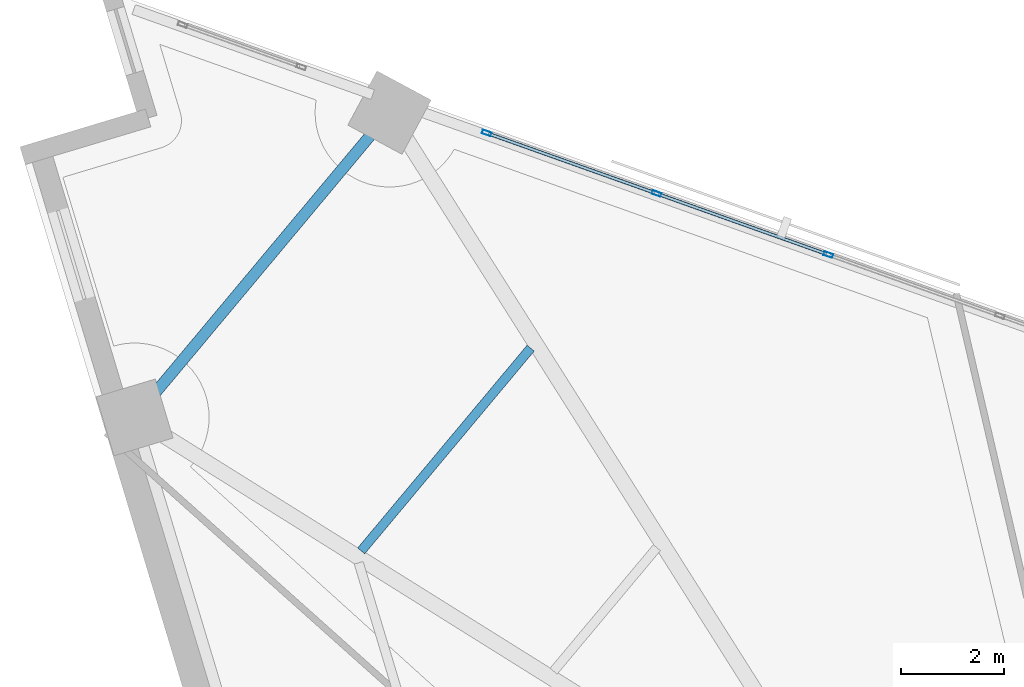
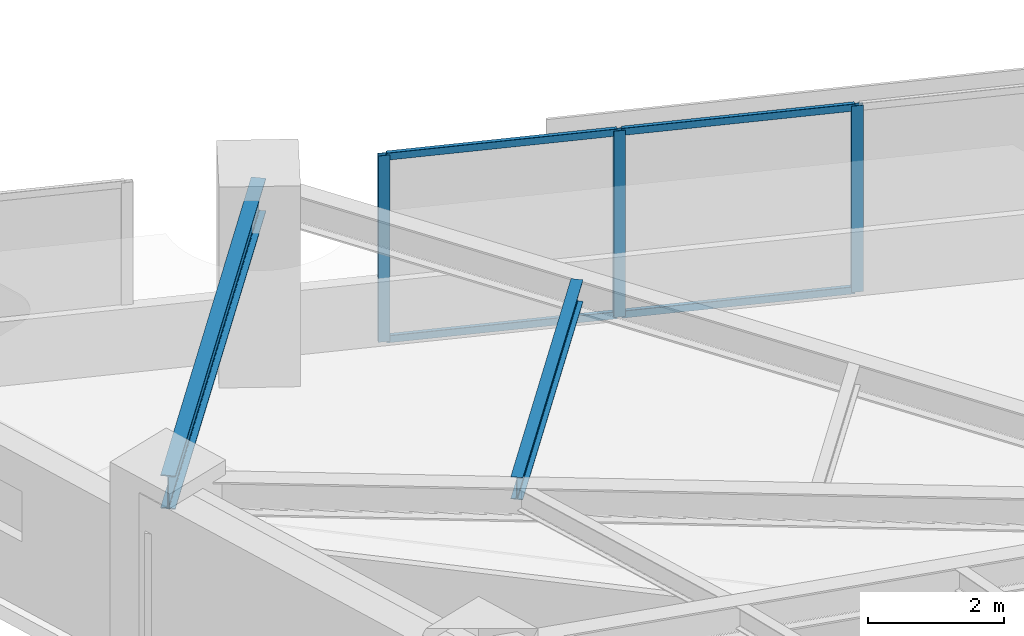
# One storey, part 6 of 15: 7 members, 2 beams, 1 element without a shape of its own.
"""IFC4 building model written with IfcOpenShell, lengths in metres."""

import ifcopenshell
import ifcopenshell.guid

model = None  # the IFC model being written
_history = None  # IfcOwnerHistory: only IFC2X3 demands one
_inside = {}  # id of a spatial element -> (the spatial element, [elements in it])
_under = {}  # id of a project, library or spatial element -> (it, [spatial elements below it])
_declared = {}  # id of a project -> (the project, [libraries it declares])
_typed = {}  # id of a type object -> (the type object, [elements of that type])
_made_of = {}  # id of a material, layer set ... -> (it, [elements and type objects made of it])


def new_model(schema):
    """Start an empty IFC model of exactly this schema.

    Asked for "IFC4X3", IfcOpenShell would pick the latest addendum, in which some entities
    have other attributes; the version numbers below select the first issue.
    IFC2X3 requires an IfcOwnerHistory on every rooted entity: one is made here for all.
    """
    global model, _history
    if schema == "IFC4X3":
        model = ifcopenshell.file(schema_version=(4, 3, 0, 0))
    else:
        model = ifcopenshell.file(schema=schema)
    _inside.clear()
    _under.clear()
    _declared.clear()
    _typed.clear()
    _made_of.clear()
    _history = None
    if model.schema == "IFC2X3":
        org = make("IfcOrganization", Name="unknown")
        user = make(
            "IfcPersonAndOrganization",
            ThePerson=make("IfcPerson", FamilyName="unknown"),
            TheOrganization=org,
        )
        app = make(
            "IfcApplication",
            ApplicationDeveloper=org,
            Version="unknown",
            ApplicationFullName="unknown",
            ApplicationIdentifier="unknown",
        )
        _history = make(
            "IfcOwnerHistory",
            OwningUser=user,
            OwningApplication=app,
            ChangeAction="ADDED",
            CreationDate=0,
        )
    return model


def make(cls, **values):
    """One entity of the class cls with the attributes given. An attribute that is None is left unset."""
    return model.create_entity(
        cls, **{name: value for name, value in values.items() if value is not None}
    )


def rooted(cls, **values):
    """An entity with a GlobalId (a new one), such as an element, a storey or a relation."""
    return make(cls, GlobalId=ifcopenshell.guid.new(), OwnerHistory=_history, **values)


def si_unit(unit_type, name, prefix=None):
    """IfcSIUnit, for example si_unit("LENGTHUNIT", "METRE", prefix="MILLI")."""
    return make("IfcSIUnit", UnitType=unit_type, Prefix=prefix, Name=name)


def assignment(units):
    """IfcUnitAssignment: the units of a project."""
    return None if units is None else make("IfcUnitAssignment", Units=units)


def point(xyz):
    """IfcCartesianPoint."""
    return None if xyz is None else make("IfcCartesianPoint", Coordinates=xyz)


def direction(xyz):
    """IfcDirection."""
    return None if xyz is None else make("IfcDirection", DirectionRatios=xyz)


def frame(location, z_axis=None, x_axis=None):
    """IfcAxis2Placement3D, a coordinate frame: its origin and axes. An axis left out is left unset."""
    return make(
        "IfcAxis2Placement3D",
        Location=point(location),
        Axis=direction(z_axis),
        RefDirection=direction(x_axis),
    )


def frame_2d(location, x_axis=None):
    """IfcAxis2Placement2D, a coordinate frame in the plane: its origin and x axis."""
    return make(
        "IfcAxis2Placement2D", Location=point(location), RefDirection=direction(x_axis)
    )


def origin():
    """The frame at (0, 0, 0) with its axes left unset."""
    return frame((0.0, 0.0, 0.0))


def origin_2d():
    """The frame at (0, 0) in the plane with its x axis left unset."""
    return frame_2d((0.0, 0.0))


def place(relative_to, where):
    """IfcLocalPlacement: puts the frame where relative to a parent placement (None: the world)."""
    return make(
        "IfcLocalPlacement", PlacementRelTo=relative_to, RelativePlacement=where
    )


def context(
    kind, dimensions, precision=None, world=None, true_north=None, identifier=None
):
    """IfcGeometricRepresentationContext, for example the 3D "Model" context."""
    return make(
        "IfcGeometricRepresentationContext",
        ContextIdentifier=identifier,
        ContextType=kind,
        CoordinateSpaceDimension=dimensions,
        Precision=precision,
        WorldCoordinateSystem=world,
        TrueNorth=true_north,
    )


def subcontext(parent, identifier, kind, view, scale=None):
    """IfcGeometricRepresentationSubContext, for example "Body" below "Model"."""
    return make(
        "IfcGeometricRepresentationSubContext",
        ContextIdentifier=identifier,
        ContextType=kind,
        ParentContext=parent,
        TargetScale=scale,
        TargetView=view,
    )


def project(units=None, contexts=None):
    """IfcProject with its units and contexts."""
    return rooted(
        "IfcProject",
        Name="project",
        RepresentationContexts=contexts,
        UnitsInContext=assignment(units),
    )


def spatial(cls, under=None, at=None, **own):
    """A site, building, storey or space (cls), placed at a placement, below another one or the project."""
    s = rooted(cls, ObjectPlacement=at, **own)
    if under is not None:
        _under.setdefault(under.id(), (under, []))[1].append(s)
    return s


def profile(cls, at=None, kind="AREA", **sizes):
    """A parametric profile (cls). Its sizes go by their IFC names, for example OverallWidth=200.0."""
    return make(cls, ProfileType=kind, Position=at, **sizes)


def hollow_rectangle(**sizes):
    """IfcRectangleHollowProfileDef."""
    return profile("IfcRectangleHollowProfileDef", **sizes)


def i_section(**sizes):
    """IfcIShapeProfileDef."""
    return profile("IfcIShapeProfileDef", **sizes)


def extrude(swept, where, along, depth):
    """IfcExtrudedAreaSolid: the profile swept, set in the frame where, extruded along a direction by depth."""
    return make(
        "IfcExtrudedAreaSolid",
        SweptArea=swept,
        Position=where,
        ExtrudedDirection=direction(along),
        Depth=depth,
    )


def shape(context_of_items, identifier, shape_type, items):
    """IfcShapeRepresentation: the items that make up one representation, for example the "Body"."""
    return make(
        "IfcShapeRepresentation",
        ContextOfItems=context_of_items,
        RepresentationIdentifier=identifier,
        RepresentationType=shape_type,
        Items=items,
    )


def material(Name=None, Category=None):
    """IfcMaterial."""
    return make("IfcMaterial", Name=Name, Category=Category)


def material_profile(
    of_material, cross_section, Name=None, Category=None, Priority=None
):
    """IfcMaterialProfile: a cross section and its material."""
    return make(
        "IfcMaterialProfile",
        Name=Name,
        Material=of_material,
        Profile=cross_section,
        Priority=Priority,
        Category=Category,
    )


def profile_set(profiles, Name=None, composite=None):
    """IfcMaterialProfileSet."""
    return make(
        "IfcMaterialProfileSet",
        Name=Name,
        MaterialProfiles=profiles,
        CompositeProfile=composite,
    )


def made_of(thing, what):
    """Note that an element or type object is made of a material, layer set ...; save() writes the relation."""
    if what is not None:
        _made_of.setdefault(what.id(), (what, []))[1].append(thing)
    return thing


def type_object(cls, material=None, **own):
    """A type object (cls), such as IfcWallType, which elements share."""
    return made_of(rooted(cls, **own), material)


def element(
    cls,
    number,
    at=None,
    inside=None,
    cuts=None,
    type_object=None,
    material=None,
    context=None,
    identifier="Body",
    shape_type=None,
    held_by="IfcProductDefinitionShape",
    body=None,
    shapes=None,
    **own,
):
    """One element of the class cls, such as IfcWall. Its Tag is "e" and its number.

    at: its placement. inside: the storey or other place that contains it. cuts: it is an
    opening in that element (IfcRelVoidsElement). A single representation is given by context,
    identifier, shape_type and body (its items); several are given by shapes. held_by: the class
    of the entity that holds the representations. save() writes the other relations.
    """
    e = rooted(cls, Tag="e%d" % number, ObjectPlacement=at, **own)
    if body is not None:
        shapes = [shape(context, identifier, shape_type, body)]
    if shapes is not None:
        e.Representation = make(held_by, Representations=shapes)
    if inside is not None:
        _inside.setdefault(inside.id(), (inside, []))[1].append(e)
    if cuts is not None:
        rooted(
            "IfcRelVoidsElement", RelatingBuildingElement=cuts, RelatedOpeningElement=e
        )
    if type_object is not None:
        _typed.setdefault(type_object.id(), (type_object, []))[1].append(e)
    return made_of(e, material)


def aggregate(whole, parts):
    """IfcRelAggregates: a whole, such as a stair, and the parts it consists of."""
    return rooted("IfcRelAggregates", RelatingObject=whole, RelatedObjects=parts)


def save(model, path):
    """Write the relations noted so far, then the file.

    IfcRelAggregates (storeys below a building ...), IfcRelContainedInSpatialStructure (elements
    in a storey), IfcRelDefinesByType, IfcRelAssociatesMaterial and IfcRelDeclares: one each for
    every whole, place, type object, material and project.
    """
    for whole, parts in _under.values():
        aggregate(whole, parts)
    for where, things in _inside.values():
        rooted(
            "IfcRelContainedInSpatialStructure",
            RelatedElements=things,
            RelatingStructure=where,
        )
    for kind, things in _typed.values():
        rooted("IfcRelDefinesByType", RelatedObjects=things, RelatingType=kind)
    for what, things in _made_of.values():
        rooted("IfcRelAssociatesMaterial", RelatedObjects=things, RelatingMaterial=what)
    for by, libraries in _declared.values():
        rooted("IfcRelDeclares", RelatingContext=by, RelatedDefinitions=libraries)
    model.write(path)


model = new_model("IFC4")

# Units and contexts
model_context = context("Model", 3, precision=1e-05, world=origin(), true_north=direction((0.0, 1.0)))
body_context = subcontext(model_context, "Body", "Model", "MODEL_VIEW")
ifc_project = project(units=[si_unit("LENGTHUNIT", "METRE"), si_unit("AREAUNIT", "SQUARE_METRE"), si_unit("VOLUMEUNIT", "CUBIC_METRE"), si_unit("PLANEANGLEUNIT", "RADIAN"), si_unit("MASSUNIT", "GRAM", prefix="KILO")], contexts=[model_context])

# Site, building, storey
site_placement = place(None, origin())
site = spatial("IfcSite", under=ifc_project, at=site_placement, CompositionType="ELEMENT")
building_placement = place(site_placement, origin())
building = spatial("IfcBuilding", under=site, at=building_placement, Name="Narakoshi Arena Tower", CompositionType="ELEMENT")
storey_placement = place(building_placement, frame((0.0, 0.0, 157.5)))
storey = spatial("IfcBuildingStorey", under=building, at=storey_placement, Name="L42", CompositionType="ELEMENT", Elevation=157.5)

# Beams
ifc_material_1 = material(Name="Structural steel S355J2", Category="steel")
ifc_material_profile_1 = material_profile(ifc_material_1, i_section(OverallWidth=0.219970703125, OverallDepth=0.60009765625, WebThickness=0.011962890625, FlangeThickness=0.01904296875, FilletRadius=0.02392578125, at=origin_2d()), Name="IPE600")
ifc_profile_set_1 = profile_set([ifc_material_profile_1], Name="Structural steel S355J2")
beam_type_1 = type_object("IfcBeamType", Name="BM-EDGE-600", PredefinedType="BEAM", material=ifc_profile_set_1)
beam_1_placement = place(storey_placement, frame((62.545166015625, 71.4501953125, 3.0400390625), z_axis=(-0.641406030011, -0.767201606272, 0.0), x_axis=(0.767201606272, -0.641406030011, 0.0)))
element("IfcBeam", 1, at=beam_1_placement, inside=storey, type_object=beam_type_1, Name="L42 Perimeter Edge Girder 09", PredefinedType="BEAM", context=body_context, shape_type="SweptSolid", body=[
    extrude(i_section(OverallWidth=0.219970703125, OverallDepth=0.60009765625, WebThickness=0.011962890625, FlangeThickness=0.01904296875, FilletRadius=0.02392578125, at=origin_2d()), origin(), (0.0, 0.0, 1.0), 7.73974609375),
])
ifc_material_profile_2 = material_profile(ifc_material_1, i_section(OverallWidth=0.179931640625, OverallDepth=0.39990234375, WebThickness=0.008544921875, FlangeThickness=0.013427734375, FilletRadius=0.02099609375, at=origin_2d()), Name="IPE400")
ifc_profile_set_2 = profile_set([ifc_material_profile_2], Name="Structural steel S355J2")
beam_type_2 = type_object("IfcBeamType", Name="BM-SEC-400", PredefinedType="JOIST", material=ifc_profile_set_2)
beam_2_placement = place(storey_placement, frame((65.295166015625, 66.861572265625, 3.139892578125), z_axis=(-0.641419724151, -0.767190157308, 0.0), x_axis=(0.767190157308, -0.641419724151, 0.0)))
element("IfcBeam", 2, at=beam_2_placement, inside=storey, type_object=beam_type_2, Name="L42 Composite Secondary Floor Joist 08", PredefinedType="JOIST", context=body_context, shape_type="SweptSolid", body=[
    extrude(i_section(OverallWidth=0.179931640625, OverallDepth=0.39990234375, WebThickness=0.008544921875, FlangeThickness=0.013427734375, FilletRadius=0.02099609375, at=origin_2d()), origin(), (0.0, 0.0, 1.0), 5.14794921875),
])

# Curtain wall, members
ifc_material_2 = material(Name="Anodised bronze aluminium 6063-T6", Category="aluminium")
curtain_wall_type = type_object("IfcCurtainWallType", Name="CW-HYP-MID", PredefinedType="NOTDEFINED", material=ifc_material_2)
curtain_wall_placement = place(storey_placement, origin())
curtain_wall = element("IfcCurtainWall", 3, at=curtain_wall_placement, inside=storey, type_object=curtain_wall_type, Name="L42 Folded Hypotenuse Curtain Wall 2-1", PredefinedType="NOTDEFINED")
ifc_material_profile_3 = material_profile(ifc_material_2, hollow_rectangle(XDim=0.074951171875, YDim=0.179931640625, WallThickness=0.00390625, OuterFilletRadius=0.0048828125, at=origin_2d()), Name="MUL180x75x4")
ifc_profile_set_3 = profile_set([ifc_material_profile_3], Name="Anodised bronze aluminium 6063-T6")
member_type_1 = type_object("IfcMemberType", Name="MEM-MUL-180", PredefinedType="MULLION", material=ifc_profile_set_3)
member_1_placement = place(storey_placement, frame((71.092529296875, 68.68212890625, 0.0), z_axis=(0.0, 0.0, 1.0), x_axis=(-0.335518297139, -0.94203368957, 0.0)))
member_1 = element("IfcMember", 4, at=member_1_placement, type_object=member_type_1, Name="CW-02 mullion 6", PredefinedType="MULLION", context=body_context, shape_type="SweptSolid", body=[
    extrude(hollow_rectangle(XDim=0.074951171875, YDim=0.179931640625, WallThickness=0.00390625, OuterFilletRadius=0.0048828125, at=origin_2d()), origin(), (0.0, 0.0, 1.0), 3.340087890625),
])
member_2_placement = place(storey_placement, frame((67.748046875, 69.873291015625, 0.0), z_axis=(0.0, 0.0, 1.0), x_axis=(-0.335518297139, -0.94203368957, 0.0)))
member_2 = element("IfcMember", 5, at=member_2_placement, type_object=member_type_1, Name="CW-02 mullion 7", PredefinedType="MULLION", context=body_context, shape_type="SweptSolid", body=[
    extrude(hollow_rectangle(XDim=0.074951171875, YDim=0.179931640625, WallThickness=0.00390625, OuterFilletRadius=0.0048828125, at=origin_2d()), origin(), (0.0, 0.0, 1.0), 3.340087890625),
])
member_3_placement = place(storey_placement, frame((64.438720703125, 71.052001953125, 0.0), z_axis=(0.0, 0.0, 1.0), x_axis=(-0.335518297139, -0.94203368957, 0.0)))
member_3 = element("IfcMember", 6, at=member_3_placement, type_object=member_type_1, Name="CW-02 mullion 8", PredefinedType="MULLION", context=body_context, shape_type="SweptSolid", body=[
    extrude(hollow_rectangle(XDim=0.074951171875, YDim=0.179931640625, WallThickness=0.00390625, OuterFilletRadius=0.0048828125, at=origin_2d()), origin(), (0.0, 0.0, 1.0), 3.340087890625),
])
ifc_material_profile_4 = material_profile(ifc_material_2, hollow_rectangle(XDim=0.06494140625, YDim=0.1298828125, WallThickness=0.00390625, OuterFilletRadius=0.0048828125, at=origin_2d()), Name="TRN130x65x4")
ifc_profile_set_4 = profile_set([ifc_material_profile_4], Name="Anodised bronze aluminium 6063-T6")
member_type_2 = type_object("IfcMemberType", Name="MEM-TRN-130", PredefinedType="USERDEFINED", material=ifc_profile_set_4)
member_4_placement = place(storey_placement, frame((71.05712890625, 68.694580078125, 0.032470703125), z_axis=(-0.942014960696, 0.335570877498, 0.0), x_axis=(-0.335570877498, -0.942014960696, 0.0)))
member_4 = element("IfcMember", 7, at=member_4_placement, type_object=member_type_2, Name="CW-02 transom 6.1", ObjectType="TRANSOM", PredefinedType="USERDEFINED", context=body_context, shape_type="SweptSolid", body=[
    extrude(hollow_rectangle(XDim=0.06494140625, YDim=0.1298828125, WallThickness=0.00390625, OuterFilletRadius=0.0048828125, at=origin_2d()), origin(), (0.0, 0.0, 1.0), 3.475341796875),
])
member_5_placement = place(storey_placement, frame((71.05712890625, 68.694580078125, 3.3076171875), z_axis=(-0.942014960696, 0.335570877498, 0.0), x_axis=(-0.335570877498, -0.942014960696, 0.0)))
member_5 = element("IfcMember", 8, at=member_5_placement, type_object=member_type_2, Name="CW-02 transom 6.2", ObjectType="TRANSOM", PredefinedType="USERDEFINED", context=body_context, shape_type="SweptSolid", body=[
    extrude(hollow_rectangle(XDim=0.06494140625, YDim=0.1298828125, WallThickness=0.00390625, OuterFilletRadius=0.0048828125, at=origin_2d()), origin(), (0.0, 0.0, 1.0), 3.475341796875),
])
member_6_placement = place(storey_placement, frame((67.712646484375, 69.885986328125, 0.032470703125), z_axis=(-0.942045199235, 0.335485979735, 0.0), x_axis=(-0.335485979735, -0.942045199235, 0.0)))
member_6 = element("IfcMember", 9, at=member_6_placement, type_object=member_type_2, Name="CW-02 transom 7.1", ObjectType="TRANSOM", PredefinedType="USERDEFINED", context=body_context, shape_type="SweptSolid", body=[
    extrude(hollow_rectangle(XDim=0.06494140625, YDim=0.1298828125, WallThickness=0.00390625, OuterFilletRadius=0.0048828125, at=origin_2d()), origin(), (0.0, 0.0, 1.0), 3.437744140625),
])
member_7_placement = place(storey_placement, frame((67.712646484375, 69.885986328125, 3.3076171875), z_axis=(-0.942045199235, 0.335485979735, 0.0), x_axis=(-0.335485979735, -0.942045199235, 0.0)))
member_7 = element("IfcMember", 10, at=member_7_placement, type_object=member_type_2, Name="CW-02 transom 7.2", ObjectType="TRANSOM", PredefinedType="USERDEFINED", context=body_context, shape_type="SweptSolid", body=[
    extrude(hollow_rectangle(XDim=0.06494140625, YDim=0.1298828125, WallThickness=0.00390625, OuterFilletRadius=0.0048828125, at=origin_2d()), origin(), (0.0, 0.0, 1.0), 3.437744140625),
])
aggregate(curtain_wall, [member_1, member_2, member_3, member_4, member_5, member_6, member_7])

save(model, "model.ifc")
